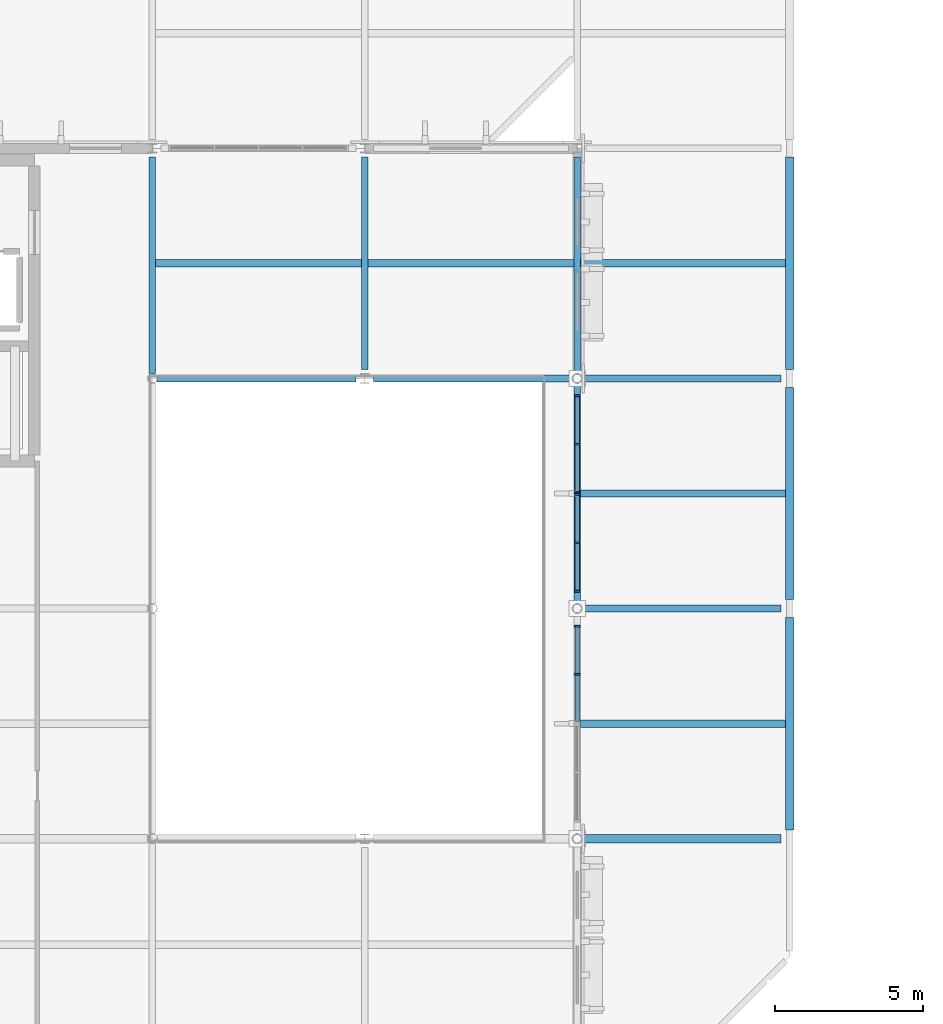
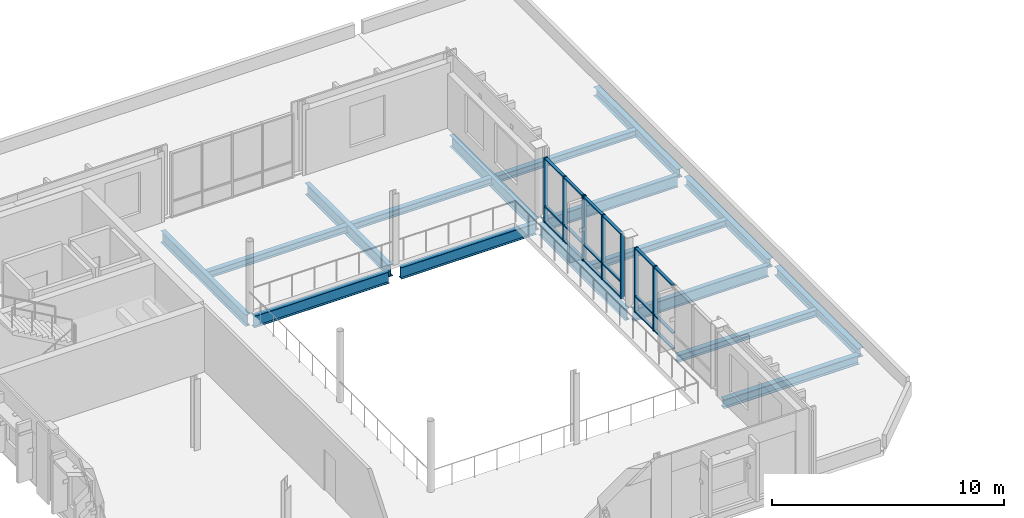
# One storey, part 13 of 73: 26 members, 17 beams, 3 elements without a shape of their own.
"""IFC4 building model written with IfcOpenShell, lengths in metres."""

from ifc_helpers import new_model, si_unit, direction, frame, origin, origin_2d, place, context, subcontext, project, spatial, rectangle, i_section, extrude, material, material_profile, profile_set, type_object, element, aggregate, save


model = new_model("IFC4")

# Units and contexts
model_context = context("Model", 3, precision=1e-05, world=origin(), true_north=direction((0.0, 1.0)))
body_context = subcontext(model_context, "Body", "Model", "MODEL_VIEW")
ifc_project = project(units=[si_unit("LENGTHUNIT", "METRE"), si_unit("AREAUNIT", "SQUARE_METRE"), si_unit("VOLUMEUNIT", "CUBIC_METRE"), si_unit("PLANEANGLEUNIT", "RADIAN"), si_unit("MASSUNIT", "GRAM", prefix="KILO")], contexts=[model_context])

# Site, building, storey
site_placement = place(None, origin())
site = spatial("IfcSite", under=ifc_project, at=site_placement, CompositionType="ELEMENT")
building_placement = place(site_placement, origin())
building = spatial("IfcBuilding", under=site, at=building_placement, Name="Vervanel Yard Central Library", CompositionType="ELEMENT")
storey_placement = place(building_placement, frame((0.0, 0.0, 12.780029296875)))
storey = spatial("IfcBuildingStorey", under=building, at=storey_placement, Name="L03", CompositionType="ELEMENT", Elevation=12.780029296875)

# Curtain wall, members
ifc_material_1 = material(Name="Thermally broken anodized aluminium 6063-T6", Category="aluminium")
curtain_wall_type = type_object("IfcCurtainWallType", Name="Atrium Courtyard Curtain Wall", PredefinedType="NOTDEFINED", material=ifc_material_1)
curtain_wall_1_placement = place(storey_placement, origin())
curtain_wall_1 = element("IfcCurtainWall", 1, at=curtain_wall_1_placement, inside=storey, type_object=curtain_wall_type, Name="L03 Atrium Courtyard Curtain Wall CWR-L03-039", PredefinedType="NOTDEFINED")
ifc_material_profile_1 = material_profile(ifc_material_1, rectangle(XDim=0.06494140625, YDim=0.18994140625, at=origin_2d()), Name="ALU 65x190", Category="aluminium")
ifc_profile_set_1 = profile_set([ifc_material_profile_1], Name="Thermally broken anodized aluminium 6063-T6")
member_type_1 = type_object("IfcMemberType", Name="Curtain Wall Primary Mullion 65x190", PredefinedType="MULLION", material=ifc_profile_set_1)
member_1_placement = place(storey_placement, frame((28.800048828125, 48.77001953125, 0.0), z_axis=(0.0, 0.0, 1.0), x_axis=(0.0, 1.0, 0.0)))
member_1 = element("IfcMember", 2, at=member_1_placement, type_object=member_type_1, Name="CWR-L03-039 Mullion 2", PredefinedType="MULLION", context=body_context, shape_type="SweptSolid", body=[
    extrude(rectangle(XDim=0.06494140625, YDim=0.18994140625, at=origin_2d()), origin(), (0.0, 0.0, 1.0), 3.39990234375),
])
member_2_placement = place(storey_placement, frame((28.800048828125, 50.407470703125, 0.0), z_axis=(0.0, 0.0, 1.0), x_axis=(0.0, 1.0, 0.0)))
member_2 = element("IfcMember", 3, at=member_2_placement, type_object=member_type_1, Name="CWR-L03-039 Mullion 3", PredefinedType="MULLION", context=body_context, shape_type="SweptSolid", body=[
    extrude(rectangle(XDim=0.06494140625, YDim=0.18994140625, at=origin_2d()), origin(), (0.0, 0.0, 1.0), 3.39990234375),
])

curtain_wall_2_placement = place(storey_placement, origin())
curtain_wall_2 = element("IfcCurtainWall", 4, at=curtain_wall_2_placement, inside=storey, type_object=curtain_wall_type, Name="L03 Atrium Courtyard Curtain Wall CWR-L03-040", PredefinedType="NOTDEFINED")
member_3_placement = place(storey_placement, frame((28.800048828125, 51.592529296875, 0.0), z_axis=(0.0, 0.0, 1.0), x_axis=(0.0, 1.0, 0.0)))
member_3 = element("IfcMember", 5, at=member_3_placement, type_object=member_type_1, Name="CWR-L03-040 Mullion 1", PredefinedType="MULLION", context=body_context, shape_type="SweptSolid", body=[
    extrude(rectangle(XDim=0.06494140625, YDim=0.18994140625, at=origin_2d()), origin(), (0.0, 0.0, 1.0), 3.39990234375),
])
member_4_placement = place(storey_placement, frame((28.800048828125, 53.22998046875, 0.0), z_axis=(0.0, 0.0, 1.0), x_axis=(0.0, 1.0, 0.0)))
member_4 = element("IfcMember", 6, at=member_4_placement, type_object=member_type_1, Name="CWR-L03-040 Mullion 2", PredefinedType="MULLION", context=body_context, shape_type="SweptSolid", body=[
    extrude(rectangle(XDim=0.06494140625, YDim=0.18994140625, at=origin_2d()), origin(), (0.0, 0.0, 1.0), 3.39990234375),
])
member_5_placement = place(storey_placement, frame((28.800048828125, 54.867431640625, 0.0), z_axis=(0.0, 0.0, 1.0), x_axis=(0.0, 1.0, 0.0)))
member_5 = element("IfcMember", 7, at=member_5_placement, type_object=member_type_1, Name="CWR-L03-040 Mullion 3", PredefinedType="MULLION", context=body_context, shape_type="SweptSolid", body=[
    extrude(rectangle(XDim=0.06494140625, YDim=0.18994140625, at=origin_2d()), origin(), (0.0, 0.0, 1.0), 3.39990234375),
])

curtain_wall_3_placement = place(storey_placement, origin())
curtain_wall_3 = element("IfcCurtainWall", 8, at=curtain_wall_3_placement, inside=storey, type_object=curtain_wall_type, Name="L03 Atrium Courtyard Curtain Wall CWR-L03-041", PredefinedType="NOTDEFINED")
member_6_placement = place(storey_placement, frame((28.800048828125, 54.9326171875, 0.0), z_axis=(0.0, 0.0, 1.0), x_axis=(0.0, 1.0, 0.0)))
member_6 = element("IfcMember", 9, at=member_6_placement, type_object=member_type_1, Name="CWR-L03-041 Mullion 1", PredefinedType="MULLION", context=body_context, shape_type="SweptSolid", body=[
    extrude(rectangle(XDim=0.06494140625, YDim=0.18994140625, at=origin_2d()), origin(), (0.0, 0.0, 1.0), 3.39990234375),
])
member_7_placement = place(storey_placement, frame((28.800048828125, 56.570068359375, 0.0), z_axis=(0.0, 0.0, 1.0), x_axis=(0.0, 1.0, 0.0)))
member_7 = element("IfcMember", 10, at=member_7_placement, type_object=member_type_1, Name="CWR-L03-041 Mullion 2", PredefinedType="MULLION", context=body_context, shape_type="SweptSolid", body=[
    extrude(rectangle(XDim=0.06494140625, YDim=0.18994140625, at=origin_2d()), origin(), (0.0, 0.0, 1.0), 3.39990234375),
])
member_8_placement = place(storey_placement, frame((28.800048828125, 58.20751953125, 0.0), z_axis=(0.0, 0.0, 1.0), x_axis=(0.0, 1.0, 0.0)))
member_8 = element("IfcMember", 11, at=member_8_placement, type_object=member_type_1, Name="CWR-L03-041 Mullion 3", PredefinedType="MULLION", context=body_context, shape_type="SweptSolid", body=[
    extrude(rectangle(XDim=0.06494140625, YDim=0.18994140625, at=origin_2d()), origin(), (0.0, 0.0, 1.0), 3.39990234375),
])

# Member
ifc_material_profile_2 = material_profile(ifc_material_1, rectangle(XDim=0.06494140625, YDim=0.139892578125, at=origin_2d()), Name="ALU 65x140", Category="aluminium")
ifc_profile_set_2 = profile_set([ifc_material_profile_2], Name="Thermally broken anodized aluminium 6063-T6")
member_type_2 = type_object("IfcMemberType", Name="Curtain Wall Transom 65x140", PredefinedType="NOTDEFINED", material=ifc_profile_set_2)
member_9_placement = place(storey_placement, frame((28.800048828125, 47.1650390625, 0.032470703125), z_axis=(0.0, 1.0, 0.0), x_axis=(0.0, 0.0, 1.0)))
member_9 = element("IfcMember", 12, at=member_9_placement, type_object=member_type_2, Name="CWR-L03-039 Transom B1-T1", ObjectType="TRANSOM", PredefinedType="USERDEFINED", context=body_context, shape_type="SweptSolid", body=[
    extrude(rectangle(XDim=0.06494140625, YDim=0.139892578125, at=origin_2d()), origin(), (0.0, 0.0, 1.0), 1.572509765625),
])

member_10_placement = place(storey_placement, frame((28.800048828125, 47.1650390625, 0.849853515625), z_axis=(0.0, 1.0, 0.0), x_axis=(0.0, 0.0, 1.0)))
member_10 = element("IfcMember", 13, at=member_10_placement, type_object=member_type_2, Name="CWR-L03-039 Transom B1-T2", ObjectType="TRANSOM", PredefinedType="USERDEFINED", context=body_context, shape_type="SweptSolid", body=[
    extrude(rectangle(XDim=0.06494140625, YDim=0.139892578125, at=origin_2d()), origin(), (0.0, 0.0, 1.0), 1.572509765625),
])

member_11_placement = place(storey_placement, frame((28.800048828125, 47.1650390625, 3.367431640625), z_axis=(0.0, 1.0, 0.0), x_axis=(0.0, 0.0, 1.0)))
member_11 = element("IfcMember", 14, at=member_11_placement, type_object=member_type_2, Name="CWR-L03-039 Transom B1-T3", ObjectType="TRANSOM", PredefinedType="USERDEFINED", context=body_context, shape_type="SweptSolid", body=[
    extrude(rectangle(XDim=0.06494140625, YDim=0.139892578125, at=origin_2d()), origin(), (0.0, 0.0, 1.0), 1.572509765625),
])

member_12_placement = place(storey_placement, frame((28.800048828125, 48.802490234375, 0.032470703125), z_axis=(0.0, 1.0, 0.0), x_axis=(0.0, 0.0, 1.0)))
member_12 = element("IfcMember", 15, at=member_12_placement, type_object=member_type_2, Name="CWR-L03-039 Transom B2-T1", ObjectType="TRANSOM", PredefinedType="USERDEFINED", context=body_context, shape_type="SweptSolid", body=[
    extrude(rectangle(XDim=0.06494140625, YDim=0.139892578125, at=origin_2d()), origin(), (0.0, 0.0, 1.0), 1.572509765625),
])

member_13_placement = place(storey_placement, frame((28.800048828125, 48.802490234375, 0.849853515625), z_axis=(0.0, 1.0, 0.0), x_axis=(0.0, 0.0, 1.0)))
member_13 = element("IfcMember", 16, at=member_13_placement, type_object=member_type_2, Name="CWR-L03-039 Transom B2-T2", ObjectType="TRANSOM", PredefinedType="USERDEFINED", context=body_context, shape_type="SweptSolid", body=[
    extrude(rectangle(XDim=0.06494140625, YDim=0.139892578125, at=origin_2d()), origin(), (0.0, 0.0, 1.0), 1.572509765625),
])

member_14_placement = place(storey_placement, frame((28.800048828125, 48.802490234375, 3.367431640625), z_axis=(0.0, 1.0, 0.0), x_axis=(0.0, 0.0, 1.0)))
member_14 = element("IfcMember", 17, at=member_14_placement, type_object=member_type_2, Name="CWR-L03-039 Transom B2-T3", ObjectType="TRANSOM", PredefinedType="USERDEFINED", context=body_context, shape_type="SweptSolid", body=[
    extrude(rectangle(XDim=0.06494140625, YDim=0.139892578125, at=origin_2d()), origin(), (0.0, 0.0, 1.0), 1.572509765625),
])

aggregate(curtain_wall_1, [member_1, member_2, member_9, member_10, member_11, member_12, member_13, member_14])

member_15_placement = place(storey_placement, frame((28.800048828125, 51.625, 0.032470703125), z_axis=(0.0, 1.0, 0.0), x_axis=(0.0, 0.0, 1.0)))
member_15 = element("IfcMember", 18, at=member_15_placement, type_object=member_type_2, Name="CWR-L03-040 Transom B1-T1", ObjectType="TRANSOM", PredefinedType="USERDEFINED", context=body_context, shape_type="SweptSolid", body=[
    extrude(rectangle(XDim=0.06494140625, YDim=0.139892578125, at=origin_2d()), origin(), (0.0, 0.0, 1.0), 1.572509765625),
])

member_16_placement = place(storey_placement, frame((28.800048828125, 51.625, 0.849853515625), z_axis=(0.0, 1.0, 0.0), x_axis=(0.0, 0.0, 1.0)))
member_16 = element("IfcMember", 19, at=member_16_placement, type_object=member_type_2, Name="CWR-L03-040 Transom B1-T2", ObjectType="TRANSOM", PredefinedType="USERDEFINED", context=body_context, shape_type="SweptSolid", body=[
    extrude(rectangle(XDim=0.06494140625, YDim=0.139892578125, at=origin_2d()), origin(), (0.0, 0.0, 1.0), 1.572509765625),
])

member_17_placement = place(storey_placement, frame((28.800048828125, 51.625, 3.367431640625), z_axis=(0.0, 1.0, 0.0), x_axis=(0.0, 0.0, 1.0)))
member_17 = element("IfcMember", 20, at=member_17_placement, type_object=member_type_2, Name="CWR-L03-040 Transom B1-T3", ObjectType="TRANSOM", PredefinedType="USERDEFINED", context=body_context, shape_type="SweptSolid", body=[
    extrude(rectangle(XDim=0.06494140625, YDim=0.139892578125, at=origin_2d()), origin(), (0.0, 0.0, 1.0), 1.572509765625),
])

member_18_placement = place(storey_placement, frame((28.800048828125, 53.262451171875, 0.032470703125), z_axis=(0.0, 1.0, 0.0), x_axis=(0.0, 0.0, 1.0)))
member_18 = element("IfcMember", 21, at=member_18_placement, type_object=member_type_2, Name="CWR-L03-040 Transom B2-T1", ObjectType="TRANSOM", PredefinedType="USERDEFINED", context=body_context, shape_type="SweptSolid", body=[
    extrude(rectangle(XDim=0.06494140625, YDim=0.139892578125, at=origin_2d()), origin(), (0.0, 0.0, 1.0), 1.572509765625),
])

member_19_placement = place(storey_placement, frame((28.800048828125, 53.262451171875, 0.849853515625), z_axis=(0.0, 1.0, 0.0), x_axis=(0.0, 0.0, 1.0)))
member_19 = element("IfcMember", 22, at=member_19_placement, type_object=member_type_2, Name="CWR-L03-040 Transom B2-T2", ObjectType="TRANSOM", PredefinedType="USERDEFINED", context=body_context, shape_type="SweptSolid", body=[
    extrude(rectangle(XDim=0.06494140625, YDim=0.139892578125, at=origin_2d()), origin(), (0.0, 0.0, 1.0), 1.572509765625),
])

member_20_placement = place(storey_placement, frame((28.800048828125, 53.262451171875, 3.367431640625), z_axis=(0.0, 1.0, 0.0), x_axis=(0.0, 0.0, 1.0)))
member_20 = element("IfcMember", 23, at=member_20_placement, type_object=member_type_2, Name="CWR-L03-040 Transom B2-T3", ObjectType="TRANSOM", PredefinedType="USERDEFINED", context=body_context, shape_type="SweptSolid", body=[
    extrude(rectangle(XDim=0.06494140625, YDim=0.139892578125, at=origin_2d()), origin(), (0.0, 0.0, 1.0), 1.572509765625),
])

aggregate(curtain_wall_2, [member_3, member_4, member_5, member_15, member_16, member_17, member_18, member_19, member_20])

member_21_placement = place(storey_placement, frame((28.800048828125, 54.965087890625, 0.032470703125), z_axis=(0.0, 1.0, 0.0), x_axis=(0.0, 0.0, 1.0)))
member_21 = element("IfcMember", 24, at=member_21_placement, type_object=member_type_2, Name="CWR-L03-041 Transom B1-T1", ObjectType="TRANSOM", PredefinedType="USERDEFINED", context=body_context, shape_type="SweptSolid", body=[
    extrude(rectangle(XDim=0.06494140625, YDim=0.139892578125, at=origin_2d()), origin(), (0.0, 0.0, 1.0), 1.572509765625),
])

member_22_placement = place(storey_placement, frame((28.800048828125, 54.965087890625, 0.849853515625), z_axis=(0.0, 1.0, 0.0), x_axis=(0.0, 0.0, 1.0)))
member_22 = element("IfcMember", 25, at=member_22_placement, type_object=member_type_2, Name="CWR-L03-041 Transom B1-T2", ObjectType="TRANSOM", PredefinedType="USERDEFINED", context=body_context, shape_type="SweptSolid", body=[
    extrude(rectangle(XDim=0.06494140625, YDim=0.139892578125, at=origin_2d()), origin(), (0.0, 0.0, 1.0), 1.572509765625),
])

member_23_placement = place(storey_placement, frame((28.800048828125, 54.965087890625, 3.367431640625), z_axis=(0.0, 1.0, 0.0), x_axis=(0.0, 0.0, 1.0)))
member_23 = element("IfcMember", 26, at=member_23_placement, type_object=member_type_2, Name="CWR-L03-041 Transom B1-T3", ObjectType="TRANSOM", PredefinedType="USERDEFINED", context=body_context, shape_type="SweptSolid", body=[
    extrude(rectangle(XDim=0.06494140625, YDim=0.139892578125, at=origin_2d()), origin(), (0.0, 0.0, 1.0), 1.572509765625),
])

member_24_placement = place(storey_placement, frame((28.800048828125, 56.6025390625, 0.032470703125), z_axis=(0.0, 1.0, 0.0), x_axis=(0.0, 0.0, 1.0)))
member_24 = element("IfcMember", 27, at=member_24_placement, type_object=member_type_2, Name="CWR-L03-041 Transom B2-T1", ObjectType="TRANSOM", PredefinedType="USERDEFINED", context=body_context, shape_type="SweptSolid", body=[
    extrude(rectangle(XDim=0.06494140625, YDim=0.139892578125, at=origin_2d()), origin(), (0.0, 0.0, 1.0), 1.572509765625),
])

member_25_placement = place(storey_placement, frame((28.800048828125, 56.6025390625, 0.849853515625), z_axis=(0.0, 1.0, 0.0), x_axis=(0.0, 0.0, 1.0)))
member_25 = element("IfcMember", 28, at=member_25_placement, type_object=member_type_2, Name="CWR-L03-041 Transom B2-T2", ObjectType="TRANSOM", PredefinedType="USERDEFINED", context=body_context, shape_type="SweptSolid", body=[
    extrude(rectangle(XDim=0.06494140625, YDim=0.139892578125, at=origin_2d()), origin(), (0.0, 0.0, 1.0), 1.572509765625),
])

member_26_placement = place(storey_placement, frame((28.800048828125, 56.6025390625, 3.367431640625), z_axis=(0.0, 1.0, 0.0), x_axis=(0.0, 0.0, 1.0)))
member_26 = element("IfcMember", 29, at=member_26_placement, type_object=member_type_2, Name="CWR-L03-041 Transom B2-T3", ObjectType="TRANSOM", PredefinedType="USERDEFINED", context=body_context, shape_type="SweptSolid", body=[
    extrude(rectangle(XDim=0.06494140625, YDim=0.139892578125, at=origin_2d()), origin(), (0.0, 0.0, 1.0), 1.572509765625),
])

aggregate(curtain_wall_3, [member_6, member_7, member_8, member_21, member_22, member_23, member_24, member_25, member_26])

# Beams
ifc_material_2 = material(Name="Steel ASTM A992 Grade 50", Category="steel")
ifc_material_profile_3 = material_profile(ifc_material_2, i_section(OverallWidth=0.25390625, OverallDepth=0.355712890625, WebThickness=0.010498046875, FlangeThickness=0.018310546875, at=origin_2d()), Name="W14X68", Category="steel")
ifc_profile_set_3 = profile_set([ifc_material_profile_3], Name="Steel ASTM A992 Grade 50")
beam_type_1 = type_object("IfcBeamType", Name="Steel Atrium Edge Joist W14X68", PredefinedType="JOIST", material=ifc_profile_set_3)
for number, where, z_axis, x_axis, name in (
    (30, (14.5146484375, 62.699951171875, -0.462890625), (1.0, 0.0, 0.0), (0.0, 1.0, 0.0), "L03 Floor Joist SJ-06 Y=62.70 X=14.4-21.6"),
    (31, (21.714599609375, 62.699951171875, -0.462890625), (1.0, 0.0, 0.0), (0.0, 1.0, 0.0), "L03 Floor Joist SJ-06 Y=62.70 X=21.6-28.8"),
):
    element("IfcBeam", number, at=place(storey_placement, frame(where, z_axis=z_axis, x_axis=x_axis)), inside=storey, type_object=beam_type_1, Name=name, PredefinedType="JOIST", context=body_context, shape_type="SweptSolid", body=[
        extrude(i_section(OverallWidth=0.25390625, OverallDepth=0.355712890625, WebThickness=0.010498046875, FlangeThickness=0.018310546875, at=origin_2d()), origin(), (0.0, 0.0, 1.0), 6.970703125),
    ])
for number, where, z_axis, x_axis, name in (
    (32, (28.91455078125, 47.10009765625, -0.462890625), (1.0, 0.0, 0.0), (0.0, 1.0, 0.0), "L03 Floor Joist SJ-06 Y=47.10 X=28.8-36.0"),
    (33, (28.91455078125, 54.89990234375, -0.462890625), (1.0, 0.0, 0.0), (0.0, 1.0, 0.0), "L03 Floor Joist SJ-06 Y=54.90 X=28.8-36.0"),
    (34, (28.91455078125, 62.699951171875, -0.462890625), (1.0, 0.0, 0.0), (0.0, 1.0, 0.0), "L03 Floor Joist SJ-06 Y=62.70 X=28.8-36.0"),
):
    element("IfcBeam", number, at=place(storey_placement, frame(where, z_axis=z_axis, x_axis=x_axis)), inside=storey, type_object=beam_type_1, Name=name, PredefinedType="JOIST", context=body_context, shape_type="SweptSolid", body=[
        extrude(i_section(OverallWidth=0.25390625, OverallDepth=0.355712890625, WebThickness=0.010498046875, FlangeThickness=0.018310546875, at=origin_2d()), origin(), (0.0, 0.0, 1.0), 6.9443359375),
    ])
ifc_material_profile_4 = material_profile(ifc_material_2, i_section(OverallWidth=0.22900390625, OverallDepth=0.612060546875, WebThickness=0.011962890625, FlangeThickness=0.01953125, at=origin_2d()), Name="W24X84", Category="steel")
ifc_profile_set_4 = profile_set([ifc_material_profile_4], Name="Steel ASTM A992 Grade 50")
beam_type_2 = type_object("IfcBeamType", Name="Steel Primary Girder W24X84", PredefinedType="BEAM", material=ifc_profile_set_4)
for number, where, z_axis, x_axis, name in (
    (35, (28.9619140625, 51.0, -0.56103515625), (1.0, 0.0, 0.0), (0.0, 1.0, 0.0), "L03 Girder SB-01 Y=51.0 X=28.8-36.0"),
    (36, (14.56201171875, 58.800048828125, -0.591064453125), (1.0, 0.0, 0.0), (0.0, 1.0, 0.0), "L03 Girder SB-01 Y=58.8 X=14.4-21.6"),
):
    element("IfcBeam", number, at=place(storey_placement, frame(where, z_axis=z_axis, x_axis=x_axis)), inside=storey, type_object=beam_type_2, Name=name, PredefinedType="BEAM", context=body_context, shape_type="SweptSolid", body=[
        extrude(i_section(OverallWidth=0.22900390625, OverallDepth=0.612060546875, WebThickness=0.011962890625, FlangeThickness=0.01953125, at=origin_2d()), origin(), (0.0, 0.0, 1.0), 6.738037109375),
    ])
beam_1_placement = place(storey_placement, frame((21.89990234375, 58.800048828125, -0.591064453125), z_axis=(1.0, 0.0, 0.0), x_axis=(0.0, 1.0, 0.0)))
element("IfcBeam", 37, at=beam_1_placement, inside=storey, type_object=beam_type_2, Name="L03 Girder SB-01 Y=58.8 X=21.6-28.8", PredefinedType="BEAM", context=body_context, shape_type="SweptSolid", body=[
    extrude(i_section(OverallWidth=0.22900390625, OverallDepth=0.612060546875, WebThickness=0.011962890625, FlangeThickness=0.01953125, at=origin_2d()), origin(), (0.0, 0.0, 1.0), 6.73828125),
])
beam_2_placement = place(storey_placement, frame((28.9619140625, 58.800048828125, -0.56103515625), z_axis=(1.0, 0.0, 0.0), x_axis=(0.0, 1.0, 0.0)))
element("IfcBeam", 38, at=beam_2_placement, inside=storey, type_object=beam_type_2, Name="L03 Girder SB-01 Y=58.8 X=28.8-36.0", PredefinedType="BEAM", context=body_context, shape_type="SweptSolid", body=[
    extrude(i_section(OverallWidth=0.22900390625, OverallDepth=0.612060546875, WebThickness=0.011962890625, FlangeThickness=0.01953125, at=origin_2d()), origin(), (0.0, 0.0, 1.0), 6.738037109375),
])
beam_3_placement = place(storey_placement, frame((14.39990234375, 58.9619140625, -0.591064453125), z_axis=(0.0, 1.0, 0.0), x_axis=(-1.0, 0.0, 0.0)))
element("IfcBeam", 39, at=beam_3_placement, inside=storey, type_object=beam_type_2, Name="L03 Girder SB-01 X=14.4 Y=58.8-66.6", PredefinedType="BEAM", context=body_context, shape_type="SweptSolid", body=[
    extrude(i_section(OverallWidth=0.22900390625, OverallDepth=0.612060546875, WebThickness=0.011962890625, FlangeThickness=0.01953125, at=origin_2d()), origin(), (0.0, 0.0, 1.0), 7.338134765625),
])
beam_4_placement = place(storey_placement, frame((21.60009765625, 59.10009765625, -0.591064453125), z_axis=(0.0, 1.0, 0.0), x_axis=(-1.0, 0.0, 0.0)))
element("IfcBeam", 40, at=beam_4_placement, inside=storey, type_object=beam_type_2, Name="L03 Girder SB-01 X=21.6 Y=58.8-66.6", PredefinedType="BEAM", context=body_context, shape_type="SweptSolid", body=[
    extrude(i_section(OverallWidth=0.22900390625, OverallDepth=0.612060546875, WebThickness=0.011962890625, FlangeThickness=0.01953125, at=origin_2d()), origin(), (0.0, 0.0, 1.0), 7.199951171875),
])
beam_5_placement = place(storey_placement, frame((28.800048828125, 51.161865234375, -0.591064453125), z_axis=(0.0, 1.0, 0.0), x_axis=(-1.0, 0.0, 0.0)))
element("IfcBeam", 41, at=beam_5_placement, inside=storey, type_object=beam_type_2, Name="L03 Girder SB-01 X=28.8 Y=51.0-58.8", PredefinedType="BEAM", context=body_context, shape_type="SweptSolid", body=[
    extrude(i_section(OverallWidth=0.22900390625, OverallDepth=0.612060546875, WebThickness=0.011962890625, FlangeThickness=0.01953125, at=origin_2d()), origin(), (0.0, 0.0, 1.0), 7.476318359375),
])
beam_6_placement = place(storey_placement, frame((28.800048828125, 58.9619140625, -0.591064453125), z_axis=(0.0, 1.0, 0.0), x_axis=(-1.0, 0.0, 0.0)))
element("IfcBeam", 42, at=beam_6_placement, inside=storey, type_object=beam_type_2, Name="L03 Girder SB-01 X=28.8 Y=58.8-66.6", PredefinedType="BEAM", context=body_context, shape_type="SweptSolid", body=[
    extrude(i_section(OverallWidth=0.22900390625, OverallDepth=0.612060546875, WebThickness=0.011962890625, FlangeThickness=0.01953125, at=origin_2d()), origin(), (0.0, 0.0, 1.0), 7.338134765625),
])
ifc_material_profile_5 = material_profile(ifc_material_2, i_section(OverallWidth=0.281982421875, OverallDepth=0.46728515625, WebThickness=0.01220703125, FlangeThickness=0.01953125, at=origin_2d()), Name="W18X86", Category="steel")
ifc_profile_set_5 = profile_set([ifc_material_profile_5], Name="Steel ASTM A992 Grade 50")
beam_type_3 = type_object("IfcBeamType", Name="Steel Spandrel Beam W18X86", PredefinedType="SPANDREL", material=ifc_profile_set_5)
beam_7_placement = place(storey_placement, frame((28.9619140625, 43.199951171875, -0.48876953125), z_axis=(1.0, 0.0, 0.0), x_axis=(0.0, 1.0, 0.0)))
element("IfcBeam", 43, at=beam_7_placement, inside=storey, type_object=beam_type_3, Name="L03 Girder SP-02 Y=43.2 X=28.8-36.0", PredefinedType="SPANDREL", context=body_context, shape_type="SweptSolid", body=[
    extrude(i_section(OverallWidth=0.281982421875, OverallDepth=0.46728515625, WebThickness=0.01220703125, FlangeThickness=0.01953125, at=origin_2d()), origin(), (0.0, 0.0, 1.0), 6.738037109375),
])
for number, where, z_axis, x_axis, name in (
    (44, (36.0, 43.5, -0.48876953125), (0.0, 1.0, 0.0), (-1.0, 0.0, 0.0), "L03 Girder SP-02 X=36.0 Y=43.2-51.0"),
    (45, (36.0, 51.300048828125, -0.48876953125), (0.0, 1.0, 0.0), (-1.0, 0.0, 0.0), "L03 Girder SP-02 X=36.0 Y=51.0-58.8"),
    (46, (36.0, 59.10009765625, -0.48876953125), (0.0, 1.0, 0.0), (-1.0, 0.0, 0.0), "L03 Girder SP-02 X=36.0 Y=58.8-66.6"),
):
    element("IfcBeam", number, at=place(storey_placement, frame(where, z_axis=z_axis, x_axis=x_axis)), inside=storey, type_object=beam_type_3, Name=name, PredefinedType="SPANDREL", context=body_context, shape_type="SweptSolid", body=[
        extrude(i_section(OverallWidth=0.281982421875, OverallDepth=0.46728515625, WebThickness=0.01220703125, FlangeThickness=0.01953125, at=origin_2d()), origin(), (0.0, 0.0, 1.0), 7.199951171875),
    ])

save(model, "model.ifc")
